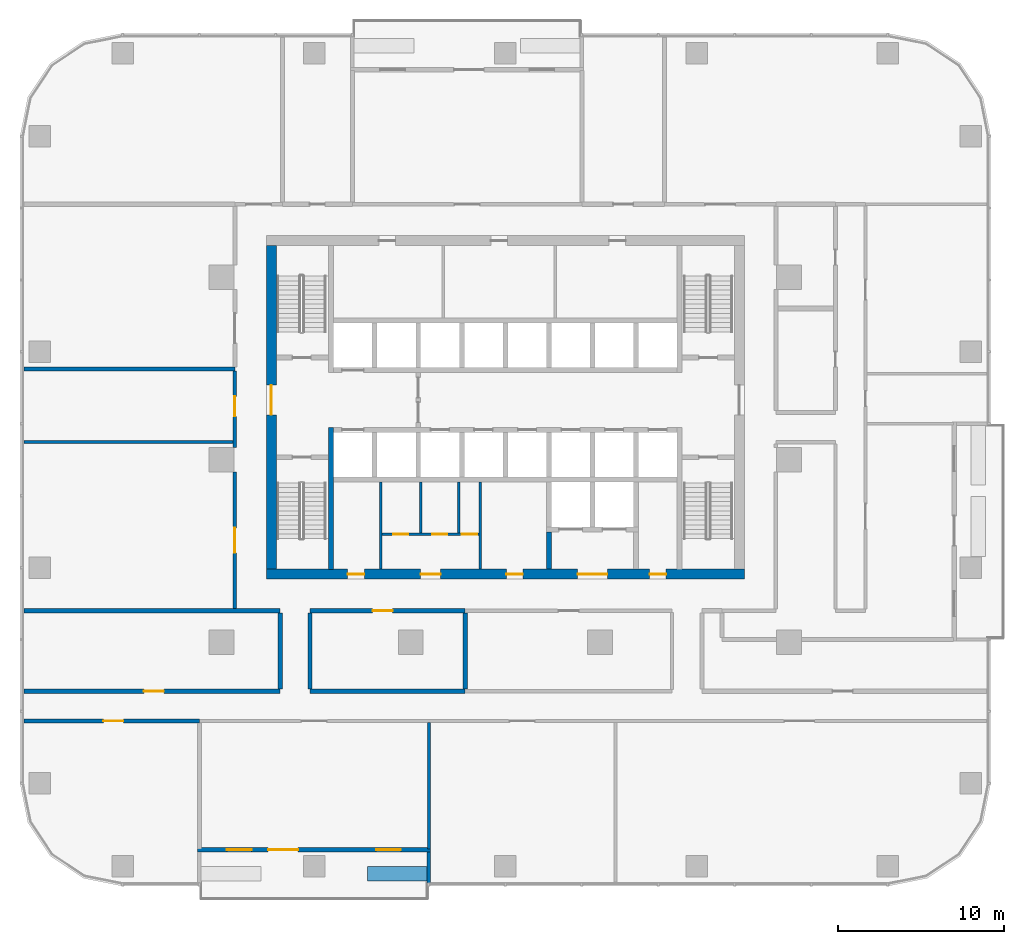
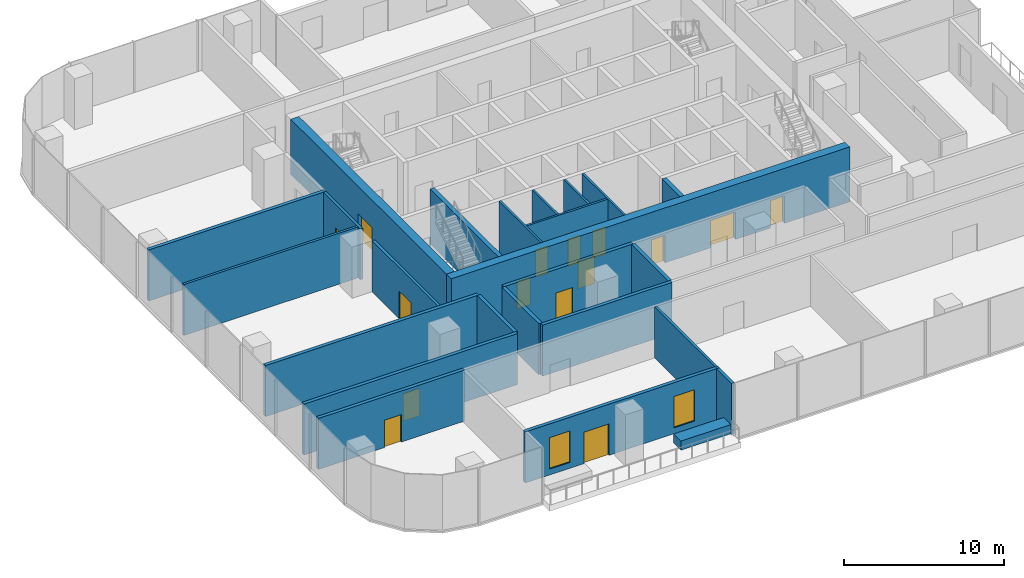
# One storey, part 7 of 14: 25 walls, 15 doors, 2 windows, 17 openings.
"""IFC4 building model written with IfcOpenShell, lengths in metres."""

from ifc_helpers import new_model, si_unit, direction, frame, frame_2d, origin, place, context, subcontext, project, spatial, rectangle, extrude, material, layer, layer_set, type_object, element, fill, save


model = new_model("IFC4")

# Units and contexts
model_context = context("Model", 3, precision=1e-05, world=origin(), true_north=direction((0.0, 1.0)))
body_context = subcontext(model_context, "Body", "Model", "MODEL_VIEW")
ifc_project = project(units=[si_unit("LENGTHUNIT", "METRE"), si_unit("AREAUNIT", "SQUARE_METRE"), si_unit("VOLUMEUNIT", "CUBIC_METRE"), si_unit("PLANEANGLEUNIT", "RADIAN"), si_unit("MASSUNIT", "GRAM", prefix="KILO")], contexts=[model_context])

# Site, building, storey
site_placement = place(None, origin())
site = spatial("IfcSite", under=ifc_project, at=site_placement, CompositionType="ELEMENT")
building_placement = place(site_placement, origin())
building = spatial("IfcBuilding", under=site, at=building_placement, Name="Mopane Tessera Tower", CompositionType="ELEMENT")
storey_placement = place(building_placement, frame((0.0, 0.0, 144.10009765625)))
storey = spatial("IfcBuildingStorey", under=building, at=storey_placement, Name="L29", CompositionType="ELEMENT", Elevation=144.10009765625)

# Wall
ifc_material_1 = material(Name="Fire-rated gypsum board partition")
ifc_layer_1 = layer(ifc_material_1, 0.14990234375)
ifc_layer_set_1 = layer_set([ifc_layer_1], Name="Fire-rated gypsum board partition")
wall_type_1 = type_object("IfcWallType", Name="Core room partition 150 mm", PredefinedType="PARTITIONING", material=ifc_layer_set_1)
wall_1_placement = place(storey_placement, frame((-7.5, -6.60009765625, 0.0), z_axis=(0.0, 0.0, 1.0), x_axis=(0.0, 1.0, 0.0)))
element("IfcWall", 1, at=wall_1_placement, inside=storey, type_object=wall_type_1, Name="L29 Room partition", PredefinedType="PARTITIONING", context=body_context, shape_type="SweptSolid", body=[
    extrude(rectangle(XDim=5.25, YDim=0.14990234375, at=frame_2d((2.625, 0.0))), origin(), (0.0, 0.0, 1.0), 4.199951171875),
])

# Wall, openings, doors
wall_2_placement = place(storey_placement, frame((-7.425048828125, -4.5, 0.0), z_axis=(0.0, 0.0, 1.0), x_axis=(1.0, 0.0, 0.0)))
wall_2 = element("IfcWall", 2, at=wall_2_placement, inside=storey, type_object=wall_type_1, Name="L29 WC partition", PredefinedType="PARTITIONING", context=body_context, shape_type="SweptSolid", body=[
    extrude(rectangle(XDim=5.85009765625, YDim=0.14990234375, at=frame_2d((2.925048828125, 0.0))), origin(), (0.0, 0.0, 1.0), 4.199951171875),
])
opening_1_placement = place(wall_2_placement, frame((0.675048828125, 0.0, 0.0)))
opening_1 = element("IfcOpeningElement", 3, at=opening_1_placement, cuts=wall_2, Name="Opening WD1", PredefinedType="OPENING", context=body_context, shape_type="SweptSolid", body=[
    extrude(rectangle(XDim=0.89990234375, YDim=2.10009765625, at=frame_2d((0.449951171875, 1.050048828125))), frame((0.0, 0.0869140625, 0.0), z_axis=(0.0, -1.0, 0.0), x_axis=(1.0, 0.0, 0.0)), (0.0, 0.0, 1.0), 0.173828125),
])
opening_2_placement = place(wall_2_placement, frame((3.014892578125, 0.0, 0.0)))
opening_2 = element("IfcOpeningElement", 4, at=opening_2_placement, cuts=wall_2, Name="Opening WD1", PredefinedType="OPENING", context=body_context, shape_type="SweptSolid", body=[
    extrude(rectangle(XDim=0.89990234375, YDim=2.10009765625, at=frame_2d((0.449951171875, 1.050048828125))), frame((0.0, 0.0869140625, 0.0), z_axis=(0.0, -1.0, 0.0), x_axis=(1.0, 0.0, 0.0)), (0.0, 0.0, 1.0), 0.173828125),
])
opening_3_placement = place(wall_2_placement, frame((4.7900390625, 0.0, 0.0)))
opening_3 = element("IfcOpeningElement", 5, at=opening_3_placement, cuts=wall_2, Name="Opening WD2", PredefinedType="OPENING", context=body_context, shape_type="SweptSolid", body=[
    extrude(rectangle(XDim=0.949951171875, YDim=2.10009765625, at=frame_2d((0.47509765625, 1.050048828125))), frame((0.0, 0.0869140625, 0.0), z_axis=(0.0, -1.0, 0.0), x_axis=(1.0, 0.0, 0.0)), (0.0, 0.0, 1.0), 0.173828125),
])
ifc_material_2 = material(Name="Timber door", Category="wood")
door_type_1 = type_object("IfcDoorType", Name="Accessible WC door 950 x 2100", OperationType="SINGLE_SWING_LEFT", PredefinedType="DOOR", material=ifc_material_2)
door_1_placement = place(opening_3_placement, origin())
door_1 = element("IfcDoor", 6, at=door_1_placement, inside=storey, type_object=door_type_1, Name="L29 Accessible WC door", OperationType="SINGLE_SWING_LEFT", OverallHeight=2.10009765625, OverallWidth=0.949951171875, PredefinedType="DOOR", context=body_context, shape_type="SweptSolid", body=[
    extrude(rectangle(XDim=0.949951171875, YDim=2.10009765625, at=frame_2d((0.47509765625, 1.050048828125))), frame((0.0, 0.02490234375, 0.0), z_axis=(0.0, -1.0, 0.0), x_axis=(1.0, 0.0, 0.0)), (0.0, 0.0, 1.0), 0.050048828125),
])
fill(opening_3, door_1)
ifc_material_3 = material(Name="Timber door", Category="wood")
door_type_2 = type_object("IfcDoorType", Name="WC cubicle door 900 x 2100", OperationType="SINGLE_SWING_LEFT", PredefinedType="DOOR", material=ifc_material_3)
door_2_placement = place(opening_1_placement, origin())
door_2 = element("IfcDoor", 7, at=door_2_placement, inside=storey, type_object=door_type_2, Name="L29 Men's WC door", OperationType="SINGLE_SWING_LEFT", OverallHeight=2.10009765625, OverallWidth=0.89990234375, PredefinedType="DOOR", context=body_context, shape_type="SweptSolid", body=[
    extrude(rectangle(XDim=0.89990234375, YDim=2.10009765625, at=frame_2d((0.449951171875, 1.050048828125))), frame((0.0, 0.02490234375, 0.0), z_axis=(0.0, -1.0, 0.0), x_axis=(1.0, 0.0, 0.0)), (0.0, 0.0, 1.0), 0.050048828125),
])
fill(opening_1, door_2)
door_3_placement = place(opening_2_placement, origin())
door_3 = element("IfcDoor", 8, at=door_3_placement, inside=storey, type_object=door_type_2, Name="L29 Women's WC door", OperationType="SINGLE_SWING_LEFT", OverallHeight=2.10009765625, OverallWidth=0.89990234375, PredefinedType="DOOR", context=body_context, shape_type="SweptSolid", body=[
    extrude(rectangle(XDim=0.89990234375, YDim=2.10009765625, at=frame_2d((0.449951171875, 1.050048828125))), frame((0.0, 0.02490234375, 0.0), z_axis=(0.0, -1.0, 0.0), x_axis=(1.0, 0.0, 0.0)), (0.0, 0.0, 1.0), 0.050048828125),
])
fill(opening_2, door_3)

# Walls
for number, where, z_axis, x_axis, name in (
    (9, (-5.10009765625, -4.425048828125, 0.0), (0.0, 0.0, 1.0), (0.0, 1.0, 0.0), "L29 WC partition"),
    (10, (-2.820068359375, -4.425048828125, 0.0), (0.0, 0.0, 1.0), (0.0, 1.0, 0.0), "L29 WC partition"),
):
    element("IfcWall", number, at=place(storey_placement, frame(where, z_axis=z_axis, x_axis=x_axis)), inside=storey, type_object=wall_type_1, Name=name, PredefinedType="PARTITIONING", context=body_context, shape_type="SweptSolid", body=[
        extrude(rectangle(XDim=3.074951171875, YDim=0.14990234375, at=frame_2d((1.53759765625, 0.0))), origin(), (0.0, 0.0, 1.0), 4.199951171875),
    ])
wall_3_placement = place(storey_placement, frame((-1.5, -6.60009765625, 0.0), z_axis=(0.0, 0.0, 1.0), x_axis=(0.0, 1.0, 0.0)))
element("IfcWall", 11, at=wall_3_placement, inside=storey, type_object=wall_type_1, Name="L29 Room partition", PredefinedType="PARTITIONING", context=body_context, shape_type="SweptSolid", body=[
    extrude(rectangle(XDim=5.25, YDim=0.14990234375, at=frame_2d((2.625, 0.0))), origin(), (0.0, 0.0, 1.0), 4.199951171875),
])

# Wall, openings, doors
ifc_material_4 = material(Name="Concrete C70/85", Category="concrete")
ifc_layer_2 = layer(ifc_material_4, 0.60009765625)
ifc_layer_set_2 = layer_set([ifc_layer_2], Name="Concrete C70/85")
wall_type_2 = type_object("IfcWallType", Name="Core shear wall 600 mm", PredefinedType="SHEAR", material=ifc_layer_set_2)
wall_4_placement = place(storey_placement, frame((-14.39990234375, -6.89990234375, 0.0), z_axis=(0.0, 0.0, 1.0), x_axis=(1.0, 0.0, 0.0)))
wall_4 = element("IfcWall", 12, at=wall_4_placement, inside=storey, type_object=wall_type_2, Name="L29 Core wall south", PredefinedType="SHEAR", context=body_context, shape_type="SweptSolid", body=[
    extrude(rectangle(XDim=28.7998046875, YDim=0.60009765625, at=frame_2d((14.39990234375, 0.0))), origin(), (0.0, 0.0, 1.0), 4.199951171875),
])
opening_4_placement = place(wall_4_placement, frame((4.89990234375, 0.0, 0.0)))
opening_4 = element("IfcOpeningElement", 13, at=opening_4_placement, cuts=wall_4, Name="Opening RD1", PredefinedType="OPENING", context=body_context, shape_type="SweptSolid", body=[
    extrude(rectangle(XDim=1.0, YDim=2.10009765625, at=frame_2d((0.5, 1.050048828125))), frame((0.0, 0.31201171875, 0.0), z_axis=(0.0, -1.0, 0.0), x_axis=(1.0, 0.0, 0.0)), (0.0, 0.0, 1.0), 0.6240234375),
])
opening_5_placement = place(wall_4_placement, frame((9.300048828125, 0.0, 0.0)))
opening_5 = element("IfcOpeningElement", 14, at=opening_5_placement, cuts=wall_4, Name="Opening WD3", PredefinedType="OPENING", context=body_context, shape_type="SweptSolid", body=[
    extrude(rectangle(XDim=1.199951171875, YDim=2.10009765625, at=frame_2d((0.60009765625, 1.050048828125))), frame((0.0, 0.31201171875, 0.0), z_axis=(0.0, -1.0, 0.0), x_axis=(1.0, 0.0, 0.0)), (0.0, 0.0, 1.0), 0.6240234375),
])
opening_6_placement = place(wall_4_placement, frame((14.46240234375, 0.0, 0.0)))
opening_6 = element("IfcOpeningElement", 15, at=opening_6_placement, cuts=wall_4, Name="Opening RD1", PredefinedType="OPENING", context=body_context, shape_type="SweptSolid", body=[
    extrude(rectangle(XDim=1.0, YDim=2.10009765625, at=frame_2d((0.5, 1.050048828125))), frame((0.0, 0.31201171875, 0.0), z_axis=(0.0, -1.0, 0.0), x_axis=(1.0, 0.0, 0.0)), (0.0, 0.0, 1.0), 0.6240234375),
])
opening_7_placement = place(wall_4_placement, frame((18.75, 0.0, 0.0)))
opening_7 = element("IfcOpeningElement", 16, at=opening_7_placement, cuts=wall_4, Name="Opening SD2", PredefinedType="OPENING", context=body_context, shape_type="SweptSolid", body=[
    extrude(rectangle(XDim=1.800048828125, YDim=2.10009765625, at=frame_2d((0.89990234375, 1.050048828125))), frame((0.0, 0.31201171875, 0.0), z_axis=(0.0, -1.0, 0.0), x_axis=(1.0, 0.0, 0.0)), (0.0, 0.0, 1.0), 0.6240234375),
])
opening_8_placement = place(wall_4_placement, frame((23.08740234375, 0.0, 0.0)))
opening_8 = element("IfcOpeningElement", 17, at=opening_8_placement, cuts=wall_4, Name="Opening RD1", PredefinedType="OPENING", context=body_context, shape_type="SweptSolid", body=[
    extrude(rectangle(XDim=1.0, YDim=2.10009765625, at=frame_2d((0.5, 1.050048828125))), frame((0.0, 0.31201171875, 0.0), z_axis=(0.0, -1.0, 0.0), x_axis=(1.0, 0.0, 0.0)), (0.0, 0.0, 1.0), 0.6240234375),
])
ifc_material_5 = material(Name="Steel fire door", Category="steel")
door_type_3 = type_object("IfcDoorType", Name="Core entrance double door 1800 x 2100", OperationType="DOUBLE_DOOR_SINGLE_SWING", PredefinedType="DOOR", material=ifc_material_5)
door_4_placement = place(opening_7_placement, origin())
door_4 = element("IfcDoor", 18, at=door_4_placement, inside=storey, type_object=door_type_3, Name="L29 Service lobby door", OperationType="DOUBLE_DOOR_SINGLE_SWING", OverallHeight=2.10009765625, OverallWidth=1.800048828125, PredefinedType="DOOR", context=body_context, shape_type="SweptSolid", body=[
    extrude(rectangle(XDim=1.800048828125, YDim=2.10009765625, at=frame_2d((0.89990234375, 1.050048828125))), frame((0.0, 0.02490234375, 0.0), z_axis=(0.0, -1.0, 0.0), x_axis=(1.0, 0.0, 0.0)), (0.0, 0.0, 1.0), 0.050048828125),
])
fill(opening_7, door_4)
ifc_material_6 = material(Name="Timber door", Category="wood")
door_type_4 = type_object("IfcDoorType", Name="Core room door 1000 x 2100", OperationType="SINGLE_SWING_LEFT", PredefinedType="DOOR", material=ifc_material_6)
door_5_placement = place(opening_4_placement, origin())
door_5 = element("IfcDoor", 19, at=door_5_placement, inside=storey, type_object=door_type_4, Name="L29 Room door", OperationType="SINGLE_SWING_LEFT", OverallHeight=2.10009765625, OverallWidth=1.0, PredefinedType="DOOR", context=body_context, shape_type="SweptSolid", body=[
    extrude(rectangle(XDim=1.0, YDim=2.10009765625, at=frame_2d((0.5, 1.050048828125))), frame((0.0, 0.02490234375, 0.0), z_axis=(0.0, -1.0, 0.0), x_axis=(1.0, 0.0, 0.0)), (0.0, 0.0, 1.0), 0.050048828125),
])
fill(opening_4, door_5)
door_6_placement = place(opening_6_placement, origin())
door_6 = element("IfcDoor", 20, at=door_6_placement, inside=storey, type_object=door_type_4, Name="L29 Room door", OperationType="SINGLE_SWING_LEFT", OverallHeight=2.10009765625, OverallWidth=1.0, PredefinedType="DOOR", context=body_context, shape_type="SweptSolid", body=[
    extrude(rectangle(XDim=1.0, YDim=2.10009765625, at=frame_2d((0.5, 1.050048828125))), frame((0.0, 0.02490234375, 0.0), z_axis=(0.0, -1.0, 0.0), x_axis=(1.0, 0.0, 0.0)), (0.0, 0.0, 1.0), 0.050048828125),
])
fill(opening_6, door_6)
door_7_placement = place(opening_8_placement, origin())
door_7 = element("IfcDoor", 21, at=door_7_placement, inside=storey, type_object=door_type_4, Name="L29 Room door", OperationType="SINGLE_SWING_LEFT", OverallHeight=2.10009765625, OverallWidth=1.0, PredefinedType="DOOR", context=body_context, shape_type="SweptSolid", body=[
    extrude(rectangle(XDim=1.0, YDim=2.10009765625, at=frame_2d((0.5, 1.050048828125))), frame((0.0, 0.02490234375, 0.0), z_axis=(0.0, -1.0, 0.0), x_axis=(1.0, 0.0, 0.0)), (0.0, 0.0, 1.0), 0.050048828125),
])
fill(opening_8, door_7)
ifc_material_7 = material(Name="Timber door", Category="wood")
door_type_5 = type_object("IfcDoorType", Name="WC lobby door 1200 x 2100", OperationType="SINGLE_SWING_LEFT", PredefinedType="DOOR", material=ifc_material_7)
door_8_placement = place(opening_5_placement, origin())
door_8 = element("IfcDoor", 22, at=door_8_placement, inside=storey, type_object=door_type_5, Name="L29 WC lobby door", OperationType="SINGLE_SWING_LEFT", OverallHeight=2.10009765625, OverallWidth=1.199951171875, PredefinedType="DOOR", context=body_context, shape_type="SweptSolid", body=[
    extrude(rectangle(XDim=1.199951171875, YDim=2.10009765625, at=frame_2d((0.60009765625, 1.050048828125))), frame((0.0, 0.02490234375, 0.0), z_axis=(0.0, -1.0, 0.0), x_axis=(1.0, 0.0, 0.0)), (0.0, 0.0, 1.0), 0.050048828125),
])
fill(opening_5, door_8)

# Wall, opening, door
wall_5_placement = place(storey_placement, frame((-14.10009765625, -6.60009765625, 0.0), z_axis=(0.0, 0.0, 1.0), x_axis=(0.0, 1.0, 0.0)))
wall_5 = element("IfcWall", 23, at=wall_5_placement, inside=storey, type_object=wall_type_2, Name="L29 Core wall west", PredefinedType="SHEAR", context=body_context, shape_type="SweptSolid", body=[
    extrude(rectangle(XDim=19.5, YDim=0.60009765625, at=frame_2d((9.75, 0.0))), origin(), (0.0, 0.0, 1.0), 4.199951171875),
])
opening_9_placement = place(wall_5_placement, frame((9.300048828125, 0.0, 0.0)))
opening_9 = element("IfcOpeningElement", 24, at=opening_9_placement, cuts=wall_5, Name="Opening SD2", PredefinedType="OPENING", context=body_context, shape_type="SweptSolid", body=[
    extrude(rectangle(XDim=1.800048828125, YDim=2.10009765625, at=frame_2d((0.89990234375, 1.050048828125))), frame((0.0, 0.31201171875, 0.0), z_axis=(0.0, -1.0, 0.0), x_axis=(1.0, 0.0, 0.0)), (0.0, 0.0, 1.0), 0.6240234375),
])
door_9_placement = place(opening_9_placement, origin())
door_9 = element("IfcDoor", 25, at=door_9_placement, inside=storey, type_object=door_type_3, Name="L29 Core entrance door west", OperationType="DOUBLE_DOOR_SINGLE_SWING", OverallHeight=2.10009765625, OverallWidth=1.800048828125, PredefinedType="DOOR", context=body_context, shape_type="SweptSolid", body=[
    extrude(rectangle(XDim=1.800048828125, YDim=2.10009765625, at=frame_2d((0.89990234375, 1.050048828125))), frame((0.0, 0.02490234375, 0.0), z_axis=(0.0, -1.0, 0.0), x_axis=(1.0, 0.0, 0.0)), (0.0, 0.0, 1.0), 0.050048828125),
])
fill(opening_9, door_9)

# Walls
ifc_material_8 = material(Name="Concrete C60/75", Category="concrete")
ifc_layer_3 = layer(ifc_material_8, 0.300048828125)
ifc_layer_set_3 = layer_set([ifc_layer_3], Name="Concrete C60/75")
wall_type_3 = type_object("IfcWallType", Name="Core spine wall 300 mm", PredefinedType="SHEAR", material=ifc_layer_set_3)
wall_6_placement = place(storey_placement, frame((-10.5, -6.60009765625, 0.0), z_axis=(0.0, 0.0, 1.0), x_axis=(0.0, 1.0, 0.0)))
element("IfcWall", 26, at=wall_6_placement, inside=storey, type_object=wall_type_3, Name="L29 Core spine wall", PredefinedType="SHEAR", context=body_context, shape_type="SweptSolid", body=[
    extrude(rectangle(XDim=8.550048828125, YDim=0.300048828125, at=frame_2d((4.27490234375, 0.0))), origin(), (0.0, 0.0, 1.0), 4.199951171875),
])
ifc_material_9 = material(Name="Gypsum board on staggered steel studs, double layer each face, acoustic mineral wool infill", Category="steel")
ifc_layer_4 = layer(ifc_material_9, 0.175048828125)
ifc_layer_set_4 = layer_set([ifc_layer_4], Name="Gypsum board on staggered steel studs, double layer each face, acoustic mineral wool infill")
wall_type_4 = type_object("IfcWallType", Name="Gypsum board acoustic partition 175, rated EI 60", PredefinedType="PARTITIONING", material=ifc_layer_set_4)
wall_7_placement = place(storey_placement, frame((-29.0, 1.074951171875, 0.0), z_axis=(0.0, 0.0, 1.0), x_axis=(1.0, 0.0, 0.0)))
element("IfcWall", 27, at=wall_7_placement, inside=storey, type_object=wall_type_4, Name="Partition L29:015", PredefinedType="PARTITIONING", context=body_context, shape_type="SweptSolid", body=[
    extrude(rectangle(XDim=12.60009765625, YDim=0.175048828125, at=frame_2d((6.300048828125, 0.0))), origin(), (0.0, 0.0, 1.0), 3.89990234375),
])
wall_8_placement = place(storey_placement, frame((-4.610107421875, -23.449951171875, 0.0), z_axis=(0.0, 0.0, 1.0), x_axis=(0.0, 1.0, 0.0)))
element("IfcWall", 28, at=wall_8_placement, inside=storey, type_object=wall_type_4, Name="Partition L29:039", PredefinedType="PARTITIONING", context=body_context, shape_type="SweptSolid", body=[
    extrude(rectangle(XDim=7.599853515625, YDim=0.175048828125, at=frame_2d((3.7998046875, 0.0))), origin(), (0.0, 0.0, 1.0), 3.89990234375),
])

# Wall, opening, door
ifc_material_10 = material(Name="Gypsum board on steel studs, two layers each face, mineral wool infill", Category="steel")
ifc_layer_5 = layer(ifc_material_10, 0.199951171875)
ifc_layer_set_5 = layer_set([ifc_layer_5], Name="Gypsum board on steel studs, two layers each face, mineral wool infill")
wall_type_5 = type_object("IfcWallType", Name="Gypsum board corridor wall 200, rated EI 60", PredefinedType="PARTITIONING", material=ifc_layer_set_5)
wall_9_placement = place(storey_placement, frame((-16.300048828125, -8.97509765625, 0.0), z_axis=(0.0, 0.0, 1.0), x_axis=(0.0, 1.0, 0.0)))
wall_9 = element("IfcWall", 29, at=wall_9_placement, inside=storey, type_object=wall_type_5, Name="Partition L29:031", PredefinedType="PARTITIONING", context=body_context, shape_type="SweptSolid", body=[
    extrude(rectangle(XDim=8.22509765625, YDim=0.199951171875, at=frame_2d((4.112548828125, 0.0))), origin(), (0.0, 0.0, 1.0), 3.89990234375),
])
opening_10_placement = place(wall_9_placement, frame((3.362548828125, 0.0, 0.0)))
opening_10 = element("IfcOpeningElement", 30, at=opening_10_placement, cuts=wall_9, Name="Opening L29-02", PredefinedType="OPENING", context=body_context, shape_type="SweptSolid", body=[
    extrude(rectangle(XDim=1.5, YDim=2.10009765625, at=frame_2d((0.75, 1.050048828125))), frame((0.0, 0.112060546875, 0.0), z_axis=(0.0, -1.0, 0.0), x_axis=(1.0, 0.0, 0.0)), (0.0, 0.0, 1.0), 0.223876953125),
])
ifc_material_11 = material(Name="Timber veneered steel-framed fire door", Category="steel")
door_type_6 = type_object("IfcDoorType", Name="Fire door pair FD60 1500 x 2100", OperationType="DOUBLE_DOOR_SINGLE_SWING", PredefinedType="DOOR", material=ifc_material_11)
door_10_placement = place(opening_10_placement, origin())
door_10 = element("IfcDoor", 31, at=door_10_placement, inside=storey, type_object=door_type_6, Name="Door L29-02", ObjectType="D17A", OperationType="DOUBLE_DOOR_SINGLE_SWING", OverallHeight=2.10009765625, OverallWidth=1.5, PredefinedType="DOOR", context=body_context, shape_type="SweptSolid", body=[
    extrude(rectangle(XDim=1.5, YDim=2.10009765625, at=frame_2d((0.75, 1.050048828125))), frame((0.0, 0.02490234375, 0.0), z_axis=(0.0, -1.0, 0.0), x_axis=(1.0, 0.0, 0.0)), (0.0, 0.0, 1.0), 0.050048828125),
])
fill(opening_10, door_10)

wall_10_placement = place(storey_placement, frame((-16.300048828125, 0.75, 0.0), z_axis=(0.0, 0.0, 1.0), x_axis=(0.0, 1.0, 0.0)))
wall_10 = element("IfcWall", 32, at=wall_10_placement, inside=storey, type_object=wall_type_5, Name="Partition L29:032", PredefinedType="PARTITIONING", context=body_context, shape_type="SweptSolid", body=[
    extrude(rectangle(XDim=4.60009765625, YDim=0.199951171875, at=frame_2d((2.300048828125, 0.0))), origin(), (0.0, 0.0, 1.0), 3.89990234375),
])
opening_11_placement = place(wall_10_placement, frame((1.862548828125, 0.0, 0.0)))
opening_11 = element("IfcOpeningElement", 33, at=opening_11_placement, cuts=wall_10, Name="Opening L29-06", PredefinedType="OPENING", context=body_context, shape_type="SweptSolid", body=[
    extrude(rectangle(XDim=1.199951171875, YDim=2.10009765625, at=frame_2d((0.60009765625, 1.050048828125))), frame((0.0, 0.112060546875, 0.0), z_axis=(0.0, -1.0, 0.0), x_axis=(1.0, 0.0, 0.0)), (0.0, 0.0, 1.0), 0.223876953125),
])
ifc_material_12 = material(Name="Timber veneered steel-framed fire door", Category="steel")
door_type_7 = type_object("IfcDoorType", Name="Fire door FD60 1200 x 2100", OperationType="SINGLE_SWING_LEFT", PredefinedType="DOOR", material=ifc_material_12)
door_11_placement = place(opening_11_placement, origin())
door_11 = element("IfcDoor", 34, at=door_11_placement, inside=storey, type_object=door_type_7, Name="Door L29-06", ObjectType="D15A", OperationType="SINGLE_SWING_LEFT", OverallHeight=2.10009765625, OverallWidth=1.199951171875, PredefinedType="DOOR", context=body_context, shape_type="SweptSolid", body=[
    extrude(rectangle(XDim=1.199951171875, YDim=2.10009765625, at=frame_2d((0.60009765625, 1.050048828125))), frame((0.0, 0.02490234375, 0.0), z_axis=(0.0, -1.0, 0.0), x_axis=(1.0, 0.0, 0.0)), (0.0, 0.0, 1.0), 0.050048828125),
])
fill(opening_11, door_11)

# Walls
ifc_material_13 = material(Name="Concrete C50/60", Category="concrete")
ifc_layer_6 = layer(ifc_material_13, 0.300048828125)
ifc_layer_set_6 = layer_set([ifc_layer_6], Name="Concrete C50/60")
wall_type_6 = type_object("IfcWallType", Name="Lobby and refuge room wall 300 mm", PredefinedType="SOLIDWALL", material=ifc_layer_set_6)
wall_11_placement = place(storey_placement, frame((2.625, -6.60009765625, 0.0), z_axis=(0.0, 0.0, 1.0), x_axis=(0.0, 1.0, 0.0)))
element("IfcWall", 35, at=wall_11_placement, inside=storey, type_object=wall_type_6, Name="L29 Service lobby wall", PredefinedType="SOLIDWALL", context=body_context, shape_type="SweptSolid", body=[
    extrude(rectangle(XDim=2.25, YDim=0.300048828125, at=frame_2d((1.125, 0.0))), origin(), (0.0, 0.0, 1.0), 4.199951171875),
])
ifc_material_14 = material(Name="Reinforced concrete C32/40 with waterproofing", Category="concrete")
ifc_layer_7 = layer(ifc_material_14, 0.89990234375)
ifc_layer_set_7 = layer_set([ifc_layer_7], Name="Reinforced concrete C32/40 with waterproofing")
wall_type_7 = type_object("IfcWallType", Name="Planter trough 3600 x 900", PredefinedType="STANDARD", material=ifc_layer_set_7)
wall_12_placement = place(storey_placement, frame((-8.31005859375, -24.949951171875, 0.0), z_axis=(0.0, 0.0, 1.0), x_axis=(1.0, 0.0, 0.0)))
element("IfcWall", 36, at=wall_12_placement, inside=storey, type_object=wall_type_7, Name="e:nw:L29:N2:pl1", PredefinedType="STANDARD", context=body_context, shape_type="SweptSolid", body=[
    extrude(rectangle(XDim=3.60009765625, YDim=0.89990234375, at=frame_2d((1.800048828125, 0.0))), origin(), (0.0, 0.0, 1.0), 0.699951171875),
])

# Wall, opening, door
ifc_material_15 = material(Name="Plastered concrete blockwork C20/25", Category="masonry")
ifc_layer_8 = layer(ifc_material_15, 0.25)
ifc_layer_set_8 = layer_set([ifc_layer_8], Name="Plastered concrete blockwork C20/25")
wall_type_8 = type_object("IfcWallType", Name="Plastered blockwork wall 250, rated EI 120", PredefinedType="PARTITIONING", material=ifc_layer_set_8)
wall_13_placement = place(storey_placement, frame((-29.0, -15.75, 0.0), z_axis=(0.0, 0.0, 1.0), x_axis=(1.0, 0.0, 0.0)))
wall_13 = element("IfcWall", 37, at=wall_13_placement, inside=storey, type_object=wall_type_8, Name="Partition L29:001", PredefinedType="PARTITIONING", context=body_context, shape_type="SweptSolid", body=[
    extrude(rectangle(XDim=10.56005859375, YDim=0.25, at=frame_2d((5.280029296875, 0.0))), origin(), (0.0, 0.0, 1.0), 3.89990234375),
])
opening_12_placement = place(wall_13_placement, frame((4.780029296875, 0.0, 0.0)))
opening_12 = element("IfcOpeningElement", 38, at=opening_12_placement, cuts=wall_13, Name="Opening L29-04", PredefinedType="OPENING", context=body_context, shape_type="SweptSolid", body=[
    extrude(rectangle(XDim=1.199951171875, YDim=2.10009765625, at=frame_2d((0.60009765625, 1.050048828125))), frame((0.0, 0.136962890625, 0.0), z_axis=(0.0, -1.0, 0.0), x_axis=(1.0, 0.0, 0.0)), (0.0, 0.0, 1.0), 0.27392578125),
])
ifc_material_16 = material(Name="Timber veneered steel-framed fire door", Category="steel")
door_type_8 = type_object("IfcDoorType", Name="Fire door FD120 1200 x 2100", OperationType="SINGLE_SWING_LEFT", PredefinedType="DOOR", material=ifc_material_16)
door_12_placement = place(opening_12_placement, origin())
door_12 = element("IfcDoor", 39, at=door_12_placement, inside=storey, type_object=door_type_8, Name="Door L29-04", ObjectType="D15B", OperationType="SINGLE_SWING_LEFT", OverallHeight=2.10009765625, OverallWidth=1.199951171875, PredefinedType="DOOR", context=body_context, shape_type="SweptSolid", body=[
    extrude(rectangle(XDim=1.199951171875, YDim=2.10009765625, at=frame_2d((0.60009765625, 1.050048828125))), frame((0.0, 0.02490234375, 0.0), z_axis=(0.0, -1.0, 0.0), x_axis=(1.0, 0.0, 0.0)), (0.0, 0.0, 1.0), 0.050048828125),
])
fill(opening_12, door_12)

wall_14_placement = place(storey_placement, frame((-29.0, -13.949951171875, 0.0), z_axis=(0.0, 0.0, 1.0), x_axis=(1.0, 0.0, 0.0)))
wall_14 = element("IfcWall", 40, at=wall_14_placement, inside=storey, type_object=wall_type_8, Name="Partition L29:003", PredefinedType="PARTITIONING", context=body_context, shape_type="SweptSolid", body=[
    extrude(rectangle(XDim=15.429931640625, YDim=0.25, at=frame_2d((7.71484375, 0.0))), origin(), (0.0, 0.0, 1.0), 3.89990234375),
])
opening_13_placement = place(wall_14_placement, frame((7.215087890625, 0.0, 0.0)))
opening_13 = element("IfcOpeningElement", 41, at=opening_13_placement, cuts=wall_14, Name="Opening L29-15", PredefinedType="OPENING", context=body_context, shape_type="SweptSolid", body=[
    extrude(rectangle(XDim=1.199951171875, YDim=2.10009765625, at=frame_2d((0.60009765625, 1.050048828125))), frame((0.0, 0.136962890625, 0.0), z_axis=(0.0, -1.0, 0.0), x_axis=(1.0, 0.0, 0.0)), (0.0, 0.0, 1.0), 0.27392578125),
])
door_13_placement = place(opening_13_placement, origin())
door_13 = element("IfcDoor", 42, at=door_13_placement, inside=storey, type_object=door_type_8, Name="Door L29-15", ObjectType="D15B", OperationType="SINGLE_SWING_LEFT", OverallHeight=2.10009765625, OverallWidth=1.199951171875, PredefinedType="DOOR", context=body_context, shape_type="SweptSolid", body=[
    extrude(rectangle(XDim=1.199951171875, YDim=2.10009765625, at=frame_2d((0.60009765625, 1.050048828125))), frame((0.0, 0.02490234375, 0.0), z_axis=(0.0, -1.0, 0.0), x_axis=(1.0, 0.0, 0.0)), (0.0, 0.0, 1.0), 0.050048828125),
])
fill(opening_13, door_13)

# Walls
wall_15_placement = place(storey_placement, frame((-11.77001953125, -13.949951171875, 0.0), z_axis=(0.0, 0.0, 1.0), x_axis=(1.0, 0.0, 0.0)))
element("IfcWall", 43, at=wall_15_placement, inside=storey, type_object=wall_type_8, Name="Partition L29:004", PredefinedType="PARTITIONING", context=body_context, shape_type="SweptSolid", body=[
    extrude(rectangle(XDim=9.35009765625, YDim=0.25, at=frame_2d((4.675048828125, 0.0))), origin(), (0.0, 0.0, 1.0), 3.89990234375),
])
wall_16_placement = place(storey_placement, frame((-29.0, -9.10009765625, 0.0), z_axis=(0.0, 0.0, 1.0), x_axis=(1.0, 0.0, 0.0)))
element("IfcWall", 44, at=wall_16_placement, inside=storey, type_object=wall_type_8, Name="Partition L29:011", PredefinedType="PARTITIONING", context=body_context, shape_type="SweptSolid", body=[
    extrude(rectangle(XDim=15.429931640625, YDim=0.25, at=frame_2d((7.71484375, 0.0))), origin(), (0.0, 0.0, 1.0), 3.89990234375),
])

# Wall, opening, door
wall_17_placement = place(storey_placement, frame((-11.77001953125, -9.10009765625, 0.0), z_axis=(0.0, 0.0, 1.0), x_axis=(1.0, 0.0, 0.0)))
wall_17 = element("IfcWall", 45, at=wall_17_placement, inside=storey, type_object=wall_type_8, Name="Partition L29:012", PredefinedType="PARTITIONING", context=body_context, shape_type="SweptSolid", body=[
    extrude(rectangle(XDim=9.35009765625, YDim=0.25, at=frame_2d((4.675048828125, 0.0))), origin(), (0.0, 0.0, 1.0), 3.89990234375),
])
opening_14_placement = place(wall_17_placement, frame((3.77490234375, 0.0, 0.0)))
opening_14 = element("IfcOpeningElement", 46, at=opening_14_placement, cuts=wall_17, Name="Opening L29-10", PredefinedType="OPENING", context=body_context, shape_type="SweptSolid", body=[
    extrude(rectangle(XDim=1.199951171875, YDim=2.10009765625, at=frame_2d((0.60009765625, 1.050048828125))), frame((0.0, 0.136962890625, 0.0), z_axis=(0.0, -1.0, 0.0), x_axis=(1.0, 0.0, 0.0)), (0.0, 0.0, 1.0), 0.27392578125),
])
door_14_placement = place(opening_14_placement, origin())
door_14 = element("IfcDoor", 47, at=door_14_placement, inside=storey, type_object=door_type_8, Name="Door L29-10", ObjectType="D15B", OperationType="SINGLE_SWING_LEFT", OverallHeight=2.10009765625, OverallWidth=1.199951171875, PredefinedType="DOOR", context=body_context, shape_type="SweptSolid", body=[
    extrude(rectangle(XDim=1.199951171875, YDim=2.10009765625, at=frame_2d((0.60009765625, 1.050048828125))), frame((0.0, 0.02490234375, 0.0), z_axis=(0.0, -1.0, 0.0), x_axis=(1.0, 0.0, 0.0)), (0.0, 0.0, 1.0), 0.050048828125),
])
fill(opening_14, door_14)

# Walls
wall_18_placement = place(storey_placement, frame((-29.0, 5.47509765625, 0.0), z_axis=(0.0, 0.0, 1.0), x_axis=(1.0, 0.0, 0.0)))
element("IfcWall", 48, at=wall_18_placement, inside=storey, type_object=wall_type_8, Name="Partition L29:019", PredefinedType="PARTITIONING", context=body_context, shape_type="SweptSolid", body=[
    extrude(rectangle(XDim=12.699951171875, YDim=0.25, at=frame_2d((6.35009765625, 0.0))), origin(), (0.0, 0.0, 1.0), 3.89990234375),
])
for number, where, z_axis, x_axis, name in (
    (49, (-13.570068359375, -13.824951171875, 0.0), (0.0, 0.0, 1.0), (0.0, 1.0, 0.0), "Partition L29:035"),
    (50, (-11.77001953125, -13.824951171875, 0.0), (0.0, 0.0, 1.0), (0.0, 1.0, 0.0), "Partition L29:037"),
    (51, (-2.419921875, -13.824951171875, 0.0), (0.0, 0.0, 1.0), (0.0, 1.0, 0.0), "Partition L29:040"),
):
    element("IfcWall", number, at=place(storey_placement, frame(where, z_axis=z_axis, x_axis=x_axis)), inside=storey, type_object=wall_type_8, Name=name, PredefinedType="PARTITIONING", context=body_context, shape_type="SweptSolid", body=[
        extrude(rectangle(XDim=4.599853515625, YDim=0.25, at=frame_2d((2.2998046875, 0.0))), origin(), (0.0, 0.0, 1.0), 3.89990234375),
    ])
ifc_material_17 = material(Name="Blockwork with glazed tile facing", Category="masonry")
ifc_layer_9 = layer(ifc_material_17, 0.199951171875)
ifc_layer_set_9 = layer_set([ifc_layer_9], Name="Blockwork with glazed tile facing")
wall_type_9 = type_object("IfcWallType", Name="Terrace cheek wall 200", PredefinedType="STANDARD", material=ifc_layer_set_9)
wall_19_placement = place(storey_placement, frame((-4.610107421875, -25.5, 0.0), z_axis=(0.0, 0.0, 1.0), x_axis=(0.0, 1.0, 0.0)))
element("IfcWall", 52, at=wall_19_placement, inside=storey, type_object=wall_type_9, Name="e:nw:L29:N2:cheekb", PredefinedType="STANDARD", context=body_context, shape_type="SweptSolid", body=[
    extrude(rectangle(XDim=1.875, YDim=0.199951171875, at=frame_2d((0.9375, 0.0))), origin(), (0.0, 0.0, 1.0), 3.89990234375),
])

# Wall, openings, windows, door
ifc_material_18 = material(Name="Blockwork with ultramarine glazed tile facing", Category="masonry")
ifc_layer_10 = layer(ifc_material_18, 0.25)
ifc_layer_set_10 = layer_set([ifc_layer_10], Name="Blockwork with ultramarine glazed tile facing")
wall_type_10 = type_object("IfcWallType", Name="Tile-clad external wall 250, ultramarine", PredefinedType="STANDARD", material=ifc_layer_set_10)
wall_20_placement = place(storey_placement, frame((-18.5400390625, -23.5, 0.0), z_axis=(0.0, 0.0, 1.0), x_axis=(1.0, 0.0, 0.0)))
wall_20 = element("IfcWall", 53, at=wall_20_placement, inside=storey, type_object=wall_type_10, Name="e:nw:L29:N2:back", PredefinedType="STANDARD", context=body_context, shape_type="SweptSolid", body=[
    extrude(rectangle(XDim=14.030029296875, YDim=0.25, at=frame_2d((7.01513671875, 0.0))), origin(), (0.0, 0.0, 1.0), 3.89990234375),
])
opening_15_placement = place(wall_20_placement, frame((1.75, 0.0, 0.449951171875)))
opening_15 = element("IfcOpeningElement", 54, at=opening_15_placement, cuts=wall_20, Name="Opening NW292A", PredefinedType="OPENING", context=body_context, shape_type="SweptSolid", body=[
    extrude(rectangle(XDim=1.5, YDim=2.39990234375, at=frame_2d((0.75, 1.199951171875))), frame((0.0, 0.136962890625, 0.0), z_axis=(0.0, -1.0, 0.0), x_axis=(1.0, 0.0, 0.0)), (0.0, 0.0, 1.0), 0.27392578125),
])
opening_16_placement = place(wall_20_placement, frame((4.25, 0.0, 0.0)))
opening_16 = element("IfcOpeningElement", 55, at=opening_16_placement, cuts=wall_20, Name="Opening ND292", PredefinedType="OPENING", context=body_context, shape_type="SweptSolid", body=[
    extrude(rectangle(XDim=1.800048828125, YDim=2.39990234375, at=frame_2d((0.89990234375, 1.199951171875))), frame((0.0, 0.136962890625, 0.0), z_axis=(0.0, -1.0, 0.0), x_axis=(1.0, 0.0, 0.0)), (0.0, 0.0, 1.0), 0.27392578125),
])
opening_17_placement = place(wall_20_placement, frame((10.75, 0.0, 0.449951171875)))
opening_17 = element("IfcOpeningElement", 56, at=opening_17_placement, cuts=wall_20, Name="Opening NW292B", PredefinedType="OPENING", context=body_context, shape_type="SweptSolid", body=[
    extrude(rectangle(XDim=1.5, YDim=2.39990234375, at=frame_2d((0.75, 1.199951171875))), frame((0.0, 0.136962890625, 0.0), z_axis=(0.0, -1.0, 0.0), x_axis=(1.0, 0.0, 0.0)), (0.0, 0.0, 1.0), 0.27392578125),
])
ifc_material_19 = material(Name="Clear laminated glass", Category="glass")
window_type = type_object("IfcWindowType", Name="Fixed window 1500 x 2400", PartitioningType="SINGLE_PANEL", PredefinedType="WINDOW", material=ifc_material_19)
window_1_placement = place(opening_15_placement, origin())
window_1 = element("IfcWindow", 57, at=window_1_placement, inside=storey, type_object=window_type, Name="e:nw:L29:N2:win0", OverallHeight=2.39990234375, OverallWidth=1.5, PartitioningType="SINGLE_PANEL", PredefinedType="WINDOW", context=body_context, shape_type="SweptSolid", body=[
    extrude(rectangle(XDim=1.5, YDim=2.39990234375, at=frame_2d((0.75, 1.199951171875))), frame((0.0, 0.030029296875, 0.0), z_axis=(0.0, -1.0, 0.0), x_axis=(1.0, 0.0, 0.0)), (0.0, 0.0, 1.0), 0.06005859375),
])
fill(opening_15, window_1)
window_2_placement = place(opening_17_placement, origin())
window_2 = element("IfcWindow", 58, at=window_2_placement, inside=storey, type_object=window_type, Name="e:nw:L29:N2:win2", OverallHeight=2.39990234375, OverallWidth=1.5, PartitioningType="SINGLE_PANEL", PredefinedType="WINDOW", context=body_context, shape_type="SweptSolid", body=[
    extrude(rectangle(XDim=1.5, YDim=2.39990234375, at=frame_2d((0.75, 1.199951171875))), frame((0.0, 0.030029296875, 0.0), z_axis=(0.0, -1.0, 0.0), x_axis=(1.0, 0.0, 0.0)), (0.0, 0.0, 1.0), 0.06005859375),
])
fill(opening_17, window_2)
ifc_material_20 = material(Name="Aluminium and clear glass", Category="aluminium")
door_type_9 = type_object("IfcDoorType", Name="Terrace double door 1800 x 2400", OperationType="DOUBLE_DOOR_SINGLE_SWING", PredefinedType="DOOR", material=ifc_material_20)
door_15_placement = place(opening_16_placement, origin())
door_15 = element("IfcDoor", 59, at=door_15_placement, inside=storey, type_object=door_type_9, Name="e:nw:L29:N2:door", ObjectType="D1", OperationType="DOUBLE_DOOR_SINGLE_SWING", OverallHeight=2.39990234375, OverallWidth=1.800048828125, PredefinedType="DOOR", context=body_context, shape_type="SweptSolid", body=[
    extrude(rectangle(XDim=1.800048828125, YDim=2.39990234375, at=frame_2d((0.89990234375, 1.199951171875))), frame((0.0, 0.02490234375, 0.0), z_axis=(0.0, -1.0, 0.0), x_axis=(1.0, 0.0, 0.0)), (0.0, 0.0, 1.0), 0.050048828125),
])
fill(opening_16, door_15)

save(model, "model.ifc")
